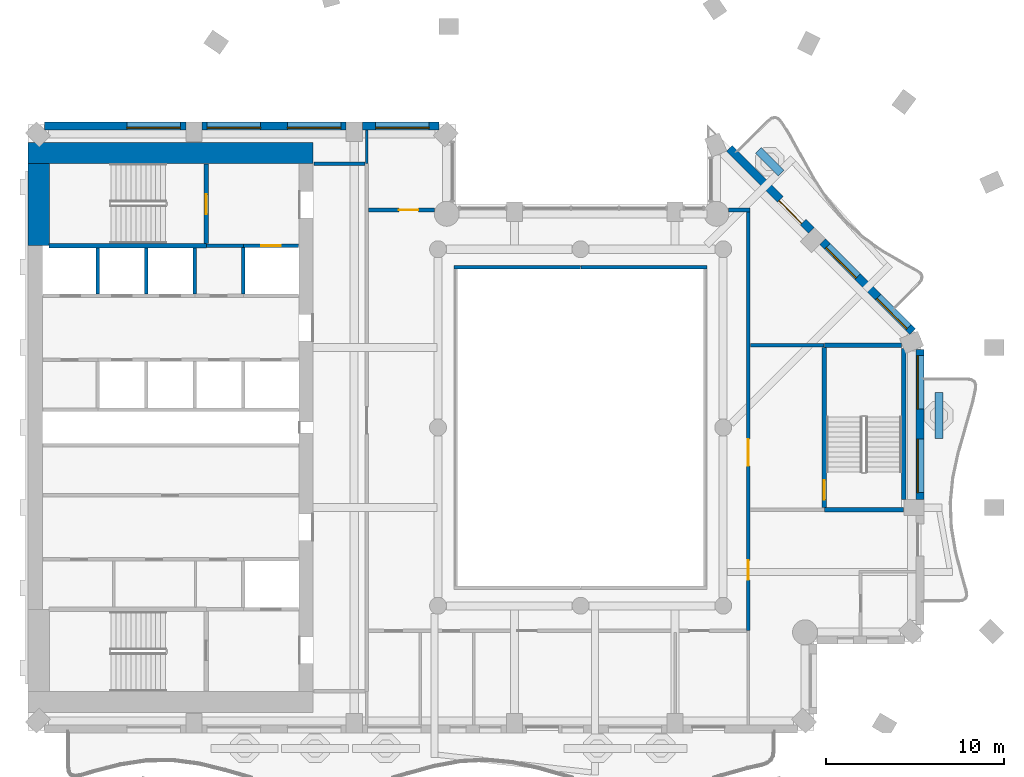
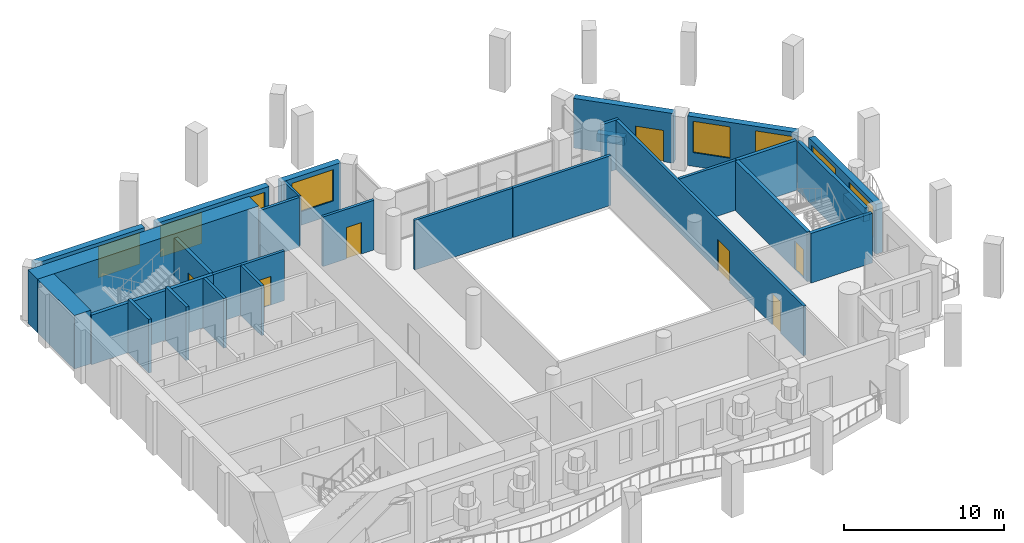
# One storey, part 6 of 14: 30 walls, 8 windows, 7 doors, 15 openings.
"""IFC4 building model written with IfcOpenShell, lengths in metres."""

from ifc_helpers import new_model, si_unit, direction, frame, frame_2d, origin, place, context, subcontext, project, spatial, rectangle, extrude, material, layer, layer_set, type_object, element, fill, save


model = new_model("IFC4")

# Units and contexts
model_context = context("Model", 3, precision=1e-05, world=origin(), true_north=direction((0.0, 1.0)))
body_context = subcontext(model_context, "Body", "Model", "MODEL_VIEW")
ifc_project = project(units=[si_unit("LENGTHUNIT", "METRE"), si_unit("AREAUNIT", "SQUARE_METRE"), si_unit("VOLUMEUNIT", "CUBIC_METRE"), si_unit("PLANEANGLEUNIT", "RADIAN"), si_unit("MASSUNIT", "GRAM", prefix="KILO")], contexts=[model_context])

# Site, building, storey
site_placement = place(None, origin())
site = spatial("IfcSite", under=ifc_project, at=site_placement, CompositionType="ELEMENT")
building_placement = place(site_placement, origin())
building = spatial("IfcBuilding", under=site, at=building_placement, Name="Cypress Arch Tower", CompositionType="ELEMENT")
storey_placement = place(building_placement, frame((0.0, 0.0, 226.10009765625)))
storey = spatial("IfcBuildingStorey", under=building, at=storey_placement, Name="L50", CompositionType="ELEMENT", Elevation=226.10009765625)

# Walls
ifc_material_1 = material(Name="Concrete C40/50, waterproofed", Category="concrete")
ifc_layer_1 = layer(ifc_material_1, 0.449951171875)
ifc_layer_set_1 = layer_set([ifc_layer_1], Name="Balcony planter wall PW450")
wall_type_1 = type_object("IfcWallType", Name="Balcony planter wall PW450", PredefinedType="SOLIDWALL", material=ifc_layer_set_1)
wall_1_placement = place(storey_placement, frame((21.10009765625, -0.61669921875, 0.0), z_axis=(0.0, 0.0, 1.0), x_axis=(0.0, 1.0, 0.0)))
element("IfcWall", 1, at=wall_1_placement, inside=storey, type_object=wall_type_1, Name="Balcony planter wall L50-B04.1", PredefinedType="SOLIDWALL", context=body_context, shape_type="SweptSolid", body=[
    extrude(rectangle(XDim=2.566650390625, YDim=0.449951171875, at=frame_2d((1.283203125, 0.0))), origin(), (0.0, 0.0, 1.0), 0.599853515625),
])
wall_2_placement = place(storey_placement, frame((12.250732421875, 14.263427734375, 0.0), z_axis=(0.0, 0.0, 1.0), x_axis=(-0.707039709166, 0.707173846846, 0.0)))
element("IfcWall", 2, at=wall_2_placement, inside=storey, type_object=wall_type_1, Name="Balcony planter wall L50-B05.1", PredefinedType="SOLIDWALL", context=body_context, shape_type="SweptSolid", body=[
    extrude(rectangle(XDim=1.820068359375, YDim=0.449951171875, at=frame_2d((0.91015625, 0.0))), origin(), (0.0, 0.0, 1.0), 0.599853515625),
])

# Wall, openings, windows
ifc_material_2 = material(Name="Brick (red buff blend)", Category="masonry")
ifc_layer_2 = layer(ifc_material_2, 0.449951171875)
ifc_layer_set_2 = layer_set([ifc_layer_2], Name="Brick pier and spandrel wall BW450")
wall_type_2 = type_object("IfcWallType", Name="Brick pier and spandrel wall BW450", PredefinedType="SOLIDWALL", material=ifc_layer_set_2)
wall_3_placement = place(storey_placement, frame((20.02490234375, -4.050048828125, 0.0), z_axis=(0.0, 0.0, 1.0), x_axis=(0.0, 1.0, 0.0)))
wall_3 = element("IfcWall", 3, at=wall_3_placement, inside=storey, type_object=wall_type_2, Name="Brick wall L50 B04.1", PredefinedType="SOLIDWALL", context=body_context, shape_type="SweptSolid", body=[
    extrude(rectangle(XDim=8.438720703125, YDim=0.449951171875, at=frame_2d((4.21923828125, 0.0))), origin(), (0.0, 0.0, 1.0), 3.7998046875),
])
opening_1_placement = place(wall_3_placement, frame((0.39404296875, 0.0, 1.050048828125)))
opening_1 = element("IfcOpeningElement", 4, at=opening_1_placement, cuts=wall_3, Name="Opening W300OD", PredefinedType="OPENING", context=body_context, shape_type="SweptSolid", body=[
    extrude(rectangle(XDim=3.0, YDim=2.39990234375, at=frame_2d((1.5, 1.199951171875))), frame((0.0, 0.23486328125, 0.0), z_axis=(0.0, -1.0, 0.0), x_axis=(1.0, 0.0, 0.0)), (0.0, 0.0, 1.0), 0.469970703125),
])
opening_2_placement = place(wall_3_placement, frame((5.081787109375, 0.0, 1.050048828125)))
opening_2 = element("IfcOpeningElement", 5, at=opening_2_placement, cuts=wall_3, Name="Opening W300OD", PredefinedType="OPENING", context=body_context, shape_type="SweptSolid", body=[
    extrude(rectangle(XDim=3.0, YDim=2.39990234375, at=frame_2d((1.5, 1.199951171875))), frame((0.0, 0.23486328125, 0.0), z_axis=(0.0, -1.0, 0.0), x_axis=(1.0, 0.0, 0.0)), (0.0, 0.0, 1.0), 0.469970703125),
])
ifc_material_3 = material(Name="Anodised aluminium, bronze finish, laminated low-emissivity double glazing, large-missile impact rated", Category="aluminium")
window_type_1 = type_object("IfcWindowType", Name="Window Office 3000x2400 debris-rated", PartitioningType="SINGLE_PANEL", PredefinedType="WINDOW", material=ifc_material_3)
window_1_placement = place(opening_1_placement, origin())
window_1 = element("IfcWindow", 6, at=window_1_placement, inside=storey, type_object=window_type_1, Name="Window L50 B04.1.1", OverallHeight=2.39990234375, OverallWidth=3.0, PartitioningType="SINGLE_PANEL", PredefinedType="WINDOW", context=body_context, shape_type="SweptSolid", body=[
    extrude(rectangle(XDim=3.0, YDim=2.39990234375, at=frame_2d((1.5, 1.199951171875))), frame((0.0, 0.135009765625, 0.0), z_axis=(0.0, -1.0, 0.0), x_axis=(1.0, 0.0, 0.0)), (0.0, 0.0, 1.0), 0.06005859375),
])
fill(opening_1, window_1)
window_2_placement = place(opening_2_placement, origin())
window_2 = element("IfcWindow", 7, at=window_2_placement, inside=storey, type_object=window_type_1, Name="Window L50 B04.1.2", OverallHeight=2.39990234375, OverallWidth=3.0, PartitioningType="SINGLE_PANEL", PredefinedType="WINDOW", context=body_context, shape_type="SweptSolid", body=[
    extrude(rectangle(XDim=3.0, YDim=2.39990234375, at=frame_2d((1.5, 1.199951171875))), frame((0.0, 0.135009765625, 0.0), z_axis=(0.0, -1.0, 0.0), x_axis=(1.0, 0.0, 0.0)), (0.0, 0.0, 1.0), 0.06005859375),
])
fill(opening_2, window_2)

wall_4_placement = place(storey_placement, frame((19.61474609375, 5.379150390625, 0.0), z_axis=(0.0, 0.0, 1.0), x_axis=(-0.707089646058, 0.7071239159, 0.0)))
wall_4 = element("IfcWall", 8, at=wall_4_placement, inside=storey, type_object=wall_type_2, Name="Brick wall L50 B05.0", PredefinedType="SOLIDWALL", context=body_context, shape_type="SweptSolid", body=[
    extrude(rectangle(XDim=7.1240234375, YDim=0.449951171875, at=frame_2d((3.56201171875, 0.0))), origin(), (0.0, 0.0, 1.0), 3.7998046875),
])
opening_3_placement = place(wall_4_placement, frame((0.328125, 0.0, 1.050048828125)))
opening_3 = element("IfcOpeningElement", 9, at=opening_3_placement, cuts=wall_4, Name="Opening W240OD", PredefinedType="OPENING", context=body_context, shape_type="SweptSolid", body=[
    extrude(rectangle(XDim=2.39990234375, YDim=2.39990234375, at=frame_2d((1.199951171875, 1.199951171875))), frame((0.0, 0.23486328125, 0.0), z_axis=(0.0, -1.0, 0.0), x_axis=(1.0, 0.0, 0.0)), (0.0, 0.0, 1.0), 0.469970703125),
])
opening_4_placement = place(wall_4_placement, frame((4.358642578125, 0.0, 1.050048828125)))
opening_4 = element("IfcOpeningElement", 10, at=opening_4_placement, cuts=wall_4, Name="Opening W240OD", PredefinedType="OPENING", context=body_context, shape_type="SweptSolid", body=[
    extrude(rectangle(XDim=2.39990234375, YDim=2.39990234375, at=frame_2d((1.199951171875, 1.199951171875))), frame((0.0, 0.23486328125, 0.0), z_axis=(0.0, -1.0, 0.0), x_axis=(1.0, 0.0, 0.0)), (0.0, 0.0, 1.0), 0.469970703125),
])
ifc_material_4 = material(Name="Anodised aluminium, bronze finish, laminated low-emissivity double glazing, large-missile impact rated", Category="aluminium")
window_type_2 = type_object("IfcWindowType", Name="Window Office 2400x2400 debris-rated", PartitioningType="SINGLE_PANEL", PredefinedType="WINDOW", material=ifc_material_4)
window_3_placement = place(opening_3_placement, origin())
window_3 = element("IfcWindow", 11, at=window_3_placement, inside=storey, type_object=window_type_2, Name="Window L50 B05.0.1", OverallHeight=2.39990234375, OverallWidth=2.39990234375, PartitioningType="SINGLE_PANEL", PredefinedType="WINDOW", context=body_context, shape_type="SweptSolid", body=[
    extrude(rectangle(XDim=2.39990234375, YDim=2.39990234375, at=frame_2d((1.199951171875, 1.199951171875))), frame((0.0, 0.135009765625, 0.0), z_axis=(0.0, -1.0, 0.0), x_axis=(1.0, 0.0, 0.0)), (0.0, 0.0, 1.0), 0.06005859375),
])
fill(opening_3, window_3)
window_4_placement = place(opening_4_placement, origin())
window_4 = element("IfcWindow", 12, at=window_4_placement, inside=storey, type_object=window_type_2, Name="Window L50 B05.0.2", OverallHeight=2.39990234375, OverallWidth=2.39990234375, PartitioningType="SINGLE_PANEL", PredefinedType="WINDOW", context=body_context, shape_type="SweptSolid", body=[
    extrude(rectangle(XDim=2.39990234375, YDim=2.39990234375, at=frame_2d((1.199951171875, 1.199951171875))), frame((0.0, 0.135009765625, 0.0), z_axis=(0.0, -1.0, 0.0), x_axis=(1.0, 0.0, 0.0)), (0.0, 0.0, 1.0), 0.06005859375),
])
fill(opening_4, window_4)

# Wall, opening, door
wall_5_placement = place(storey_placement, frame((13.94091796875, 11.052978515625, 0.0), z_axis=(0.0, 0.0, 1.0), x_axis=(-0.707106781187, 0.707106781187, 0.0)))
wall_5 = element("IfcWall", 13, at=wall_5_placement, inside=storey, type_object=wall_type_2, Name="Brick wall L50 B05.1", PredefinedType="SOLIDWALL", context=body_context, shape_type="SweptSolid", body=[
    extrude(rectangle(XDim=6.505126953125, YDim=0.449951171875, at=frame_2d((3.25244140625, 0.0))), origin(), (0.0, 0.0, 1.0), 3.7998046875),
])
opening_5_placement = place(wall_5_placement, frame((0.665283203125, 0.0, 0.0)))
opening_5 = element("IfcOpeningElement", 14, at=opening_5_placement, cuts=wall_5, Name="Opening D-L50-B05.1.1", PredefinedType="OPENING", context=body_context, shape_type="SweptSolid", body=[
    extrude(rectangle(XDim=1.800048828125, YDim=2.39990234375, at=frame_2d((0.89990234375, 1.199951171875))), frame((0.0, 0.23486328125, 0.0), z_axis=(0.0, -1.0, 0.0), x_axis=(1.0, 0.0, 0.0)), (0.0, 0.0, 1.0), 0.469970703125),
])
ifc_material_5 = material(Name="Anodised aluminium, bronze finish, laminated low-emissivity double glazing, large-missile impact rated", Category="aluminium")
door_type_1 = type_object("IfcDoorType", Name="Balcony sliding door 1800x2400", OperationType="SLIDING_TO_LEFT", PredefinedType="DOOR", material=ifc_material_5)
door_1_placement = place(opening_5_placement, origin())
door_1 = element("IfcDoor", 15, at=door_1_placement, inside=storey, type_object=door_type_1, Name="Balcony door L50 B05.1.1", OperationType="SLIDING_TO_LEFT", OverallHeight=2.39990234375, OverallWidth=1.800048828125, PredefinedType="DOOR", context=body_context, shape_type="SweptSolid", body=[
    extrude(rectangle(XDim=1.800048828125, YDim=2.39990234375, at=frame_2d((0.89990234375, 1.199951171875))), frame((0.0, 0.1298828125, 0.0), z_axis=(0.0, -1.0, 0.0), x_axis=(1.0, 0.0, 0.0)), (0.0, 0.0, 1.0), 0.050048828125),
])
fill(opening_5, door_1)

# Wall, opening, window
wall_6_placement = place(storey_placement, frame((-6.936279296875, 16.925048828125, 0.0), z_axis=(0.0, 0.0, 1.0), x_axis=(-1.0, 0.0, 0.0)))
wall_6 = element("IfcWall", 16, at=wall_6_placement, inside=storey, type_object=wall_type_2, Name="Brick wall L50 B09.0", PredefinedType="SOLIDWALL", context=body_context, shape_type="SweptSolid", body=[
    extrude(rectangle(XDim=4.313720703125, YDim=0.449951171875, at=frame_2d((2.15673828125, 0.0))), origin(), (0.0, 0.0, 1.0), 3.7998046875),
])
opening_6_placement = place(wall_6_placement, frame((0.563720703125, 0.0, 1.050048828125)))
opening_6 = element("IfcOpeningElement", 17, at=opening_6_placement, cuts=wall_6, Name="Opening W300O", PredefinedType="OPENING", context=body_context, shape_type="SweptSolid", body=[
    extrude(rectangle(XDim=3.0, YDim=2.39990234375, at=frame_2d((1.5, 1.199951171875))), frame((0.0, 0.23486328125, 0.0), z_axis=(0.0, -1.0, 0.0), x_axis=(1.0, 0.0, 0.0)), (0.0, 0.0, 1.0), 0.469970703125),
])
ifc_material_6 = material(Name="Anodised aluminium, bronze finish, clear low-emissivity double glazing", Category="aluminium")
window_type_3 = type_object("IfcWindowType", Name="Window Office 3000x2400", PartitioningType="SINGLE_PANEL", PredefinedType="WINDOW", material=ifc_material_6)
window_5_placement = place(opening_6_placement, origin())
window_5 = element("IfcWindow", 18, at=window_5_placement, inside=storey, type_object=window_type_3, Name="Window L50 B09.0.1", OverallHeight=2.39990234375, OverallWidth=3.0, PartitioningType="SINGLE_PANEL", PredefinedType="WINDOW", context=body_context, shape_type="SweptSolid", body=[
    extrude(rectangle(XDim=3.0, YDim=2.39990234375, at=frame_2d((1.5, 1.199951171875))), frame((0.0, 0.135009765625, 0.0), z_axis=(0.0, -1.0, 0.0), x_axis=(1.0, 0.0, 0.0)), (0.0, 0.0, 1.0), 0.06005859375),
])
fill(opening_6, window_5)

# Wall, openings, windows
wall_7_placement = place(storey_placement, frame((-12.14990234375, 16.925048828125, 0.0), z_axis=(0.0, 0.0, 1.0), x_axis=(-1.0, 0.0, 0.0)))
wall_7 = element("IfcWall", 19, at=wall_7_placement, inside=storey, type_object=wall_type_2, Name="Brick wall L50 B09.1", PredefinedType="SOLIDWALL", context=body_context, shape_type="SweptSolid", body=[
    extrude(rectangle(XDim=8.10009765625, YDim=0.449951171875, at=frame_2d((4.050048828125, 0.0))), origin(), (0.0, 0.0, 1.0), 3.7998046875),
])
opening_7_placement = place(wall_7_placement, frame((0.300048828125, 0.0, 1.050048828125)))
opening_7 = element("IfcOpeningElement", 20, at=opening_7_placement, cuts=wall_7, Name="Opening W300O", PredefinedType="OPENING", context=body_context, shape_type="SweptSolid", body=[
    extrude(rectangle(XDim=3.0, YDim=2.39990234375, at=frame_2d((1.5, 1.199951171875))), frame((0.0, 0.23486328125, 0.0), z_axis=(0.0, -1.0, 0.0), x_axis=(1.0, 0.0, 0.0)), (0.0, 0.0, 1.0), 0.469970703125),
])
opening_8_placement = place(wall_7_placement, frame((4.800048828125, 0.0, 1.050048828125)))
opening_8 = element("IfcOpeningElement", 21, at=opening_8_placement, cuts=wall_7, Name="Opening W300O", PredefinedType="OPENING", context=body_context, shape_type="SweptSolid", body=[
    extrude(rectangle(XDim=3.0, YDim=2.39990234375, at=frame_2d((1.5, 1.199951171875))), frame((0.0, 0.23486328125, 0.0), z_axis=(0.0, -1.0, 0.0), x_axis=(1.0, 0.0, 0.0)), (0.0, 0.0, 1.0), 0.469970703125),
])
window_6_placement = place(opening_7_placement, origin())
window_6 = element("IfcWindow", 22, at=window_6_placement, inside=storey, type_object=window_type_3, Name="Window L50 B09.1.1", OverallHeight=2.39990234375, OverallWidth=3.0, PartitioningType="SINGLE_PANEL", PredefinedType="WINDOW", context=body_context, shape_type="SweptSolid", body=[
    extrude(rectangle(XDim=3.0, YDim=2.39990234375, at=frame_2d((1.5, 1.199951171875))), frame((0.0, 0.135009765625, 0.0), z_axis=(0.0, -1.0, 0.0), x_axis=(1.0, 0.0, 0.0)), (0.0, 0.0, 1.0), 0.06005859375),
])
fill(opening_7, window_6)
window_7_placement = place(opening_8_placement, origin())
window_7 = element("IfcWindow", 23, at=window_7_placement, inside=storey, type_object=window_type_3, Name="Window L50 B09.1.2", OverallHeight=2.39990234375, OverallWidth=3.0, PartitioningType="SINGLE_PANEL", PredefinedType="WINDOW", context=body_context, shape_type="SweptSolid", body=[
    extrude(rectangle(XDim=3.0, YDim=2.39990234375, at=frame_2d((1.5, 1.199951171875))), frame((0.0, 0.135009765625, 0.0), z_axis=(0.0, -1.0, 0.0), x_axis=(1.0, 0.0, 0.0)), (0.0, 0.0, 1.0), 0.06005859375),
])
fill(opening_8, window_7)

# Wall, opening, window
wall_8_placement = place(storey_placement, frame((-21.14990234375, 16.925048828125, 0.0), z_axis=(0.0, 0.0, 1.0), x_axis=(-1.0, 0.0, 0.0)))
wall_8 = element("IfcWall", 24, at=wall_8_placement, inside=storey, type_object=wall_type_2, Name="Brick wall L50 B09.2", PredefinedType="SOLIDWALL", context=body_context, shape_type="SweptSolid", body=[
    extrude(rectangle(XDim=7.913818359375, YDim=0.449951171875, at=frame_2d((3.95703125, 0.0))), origin(), (0.0, 0.0, 1.0), 3.7998046875),
])
opening_9_placement = place(wall_8_placement, frame((0.300048828125, 0.0, 1.050048828125)))
opening_9 = element("IfcOpeningElement", 25, at=opening_9_placement, cuts=wall_8, Name="Opening W300O", PredefinedType="OPENING", context=body_context, shape_type="SweptSolid", body=[
    extrude(rectangle(XDim=3.0, YDim=2.39990234375, at=frame_2d((1.5, 1.199951171875))), frame((0.0, 0.23486328125, 0.0), z_axis=(0.0, -1.0, 0.0), x_axis=(1.0, 0.0, 0.0)), (0.0, 0.0, 1.0), 0.469970703125),
])
window_8_placement = place(opening_9_placement, origin())
window_8 = element("IfcWindow", 26, at=window_8_placement, inside=storey, type_object=window_type_3, Name="Window L50 B09.2.1", OverallHeight=2.39990234375, OverallWidth=3.0, PartitioningType="SINGLE_PANEL", PredefinedType="WINDOW", context=body_context, shape_type="SweptSolid", body=[
    extrude(rectangle(XDim=3.0, YDim=2.39990234375, at=frame_2d((1.5, 1.199951171875))), frame((0.0, 0.135009765625, 0.0), z_axis=(0.0, -1.0, 0.0), x_axis=(1.0, 0.0, 0.0)), (0.0, 0.0, 1.0), 0.06005859375),
])
fill(opening_9, window_8)

# Walls
ifc_material_7 = material(Name="Concrete C70/85", Category="concrete")
ifc_layer_3 = layer(ifc_material_7, 1.199951171875)
ifc_layer_set_3 = layer_set([ifc_layer_3], Name="Core wall CW1200 C70/85")
wall_type_3 = type_object("IfcWallType", Name="Core wall CW1200 C70/85", PredefinedType="SHEAR", material=ifc_layer_set_3)
wall_9_placement = place(storey_placement, frame((-30.0, 15.39990234375, 0.0), z_axis=(0.0, 0.0, 1.0), x_axis=(1.0, 0.0, 0.0)))
element("IfcWall", 27, at=wall_9_placement, inside=storey, type_object=wall_type_3, Name="Core wall", PredefinedType="SHEAR", context=body_context, shape_type="SweptSolid", body=[
    extrude(rectangle(XDim=16.0, YDim=1.199951171875, at=frame_2d((8.0, 0.0))), origin(), (0.0, 0.0, 1.0), 4.099853515625),
])
wall_10_placement = place(storey_placement, frame((-29.39990234375, 10.199951171875, 0.0), z_axis=(0.0, 0.0, 1.0), x_axis=(0.0, 1.0, 0.0)))
element("IfcWall", 28, at=wall_10_placement, inside=storey, type_object=wall_type_3, Name="Core wall", PredefinedType="SHEAR", context=body_context, shape_type="SweptSolid", body=[
    extrude(rectangle(XDim=4.60009765625, YDim=1.199951171875, at=frame_2d((2.300048828125, 0.0))), origin(), (0.0, 0.0, 1.0), 4.099853515625),
])
ifc_material_8 = material(Name="Concrete blockwork, plastered, rated", Category="masonry")
ifc_layer_4 = layer(ifc_material_8, 0.199951171875)
ifc_layer_set_4 = layer_set([ifc_layer_4], Name="Corridor wall FW200")
wall_type_4 = type_object("IfcWallType", Name="Corridor wall FW200", PredefinedType="PARTITIONING", material=ifc_layer_set_4)
wall_11_placement = place(storey_placement, frame((-13.969970703125, 14.800048828125, 0.0), z_axis=(0.0, 0.0, 1.0), x_axis=(1.0, 0.0, 0.0)))
element("IfcWall", 29, at=wall_11_placement, inside=storey, type_object=wall_type_4, Name="Corridor wall", PredefinedType="PARTITIONING", context=body_context, shape_type="SweptSolid", body=[
    extrude(rectangle(XDim=2.869873046875, YDim=0.199951171875, at=frame_2d((1.43505859375, 0.0))), origin(), (0.0, 0.0, 1.0), 3.7998046875),
])

# Wall, opening, door
wall_12_placement = place(storey_placement, frame((-10.89990234375, 12.199951171875, 0.0), z_axis=(0.0, 0.0, 1.0), x_axis=(1.0, 0.0, 0.0)))
wall_12 = element("IfcWall", 30, at=wall_12_placement, inside=storey, type_object=wall_type_4, Name="Corridor wall", PredefinedType="PARTITIONING", context=body_context, shape_type="SweptSolid", body=[
    extrude(rectangle(XDim=3.7041015625, YDim=0.199951171875, at=frame_2d((1.85205078125, 0.0))), origin(), (0.0, 0.0, 1.0), 3.7998046875),
])
opening_10_placement = place(wall_12_placement, frame((1.699951171875, 0.0, 0.0)))
opening_10 = element("IfcOpeningElement", 31, at=opening_10_placement, cuts=wall_12, Name="Opening D01", PredefinedType="OPENING", context=body_context, shape_type="SweptSolid", body=[
    extrude(rectangle(XDim=1.10009765625, YDim=2.39990234375, at=frame_2d((0.550048828125, 1.199951171875))), frame((0.0, 0.10986328125, 0.0), z_axis=(0.0, -1.0, 0.0), x_axis=(1.0, 0.0, 0.0)), (0.0, 0.0, 1.0), 0.219970703125),
])
ifc_material_9 = material(Name="Timber flush door, fire resisting, self-closing", Category="wood")
door_type_2 = type_object("IfcDoorType", Name="Unit entrance door D01 1100x2400", OperationType="SINGLE_SWING_LEFT", PredefinedType="DOOR", material=ifc_material_9)
door_2_placement = place(opening_10_placement, origin())
door_2 = element("IfcDoor", 32, at=door_2_placement, inside=storey, type_object=door_type_2, Name="Unit entrance door", OperationType="SINGLE_SWING_RIGHT", OverallHeight=2.39990234375, OverallWidth=1.10009765625, PredefinedType="DOOR", context=body_context, shape_type="SweptSolid", body=[
    extrude(rectangle(XDim=1.10009765625, YDim=2.39990234375, at=frame_2d((0.550048828125, 1.199951171875))), frame((0.0, 0.02490234375, 0.0), z_axis=(0.0, -1.0, 0.0), x_axis=(1.0, 0.0, 0.0)), (0.0, 0.0, 1.0), 0.050048828125),
])
fill(opening_10, door_2)

# Walls
for number, where, z_axis, x_axis, name in (
    (33, (-6.10009765625, 9.0, 0.0), (0.0, 0.0, 1.0), (1.0, 0.0, 0.0), "Corridor wall"),
    (34, (1.02001953125, 9.0, 0.0), (0.0, 0.0, 1.0), (1.0, 0.0, 0.0), "Corridor wall"),
):
    element("IfcWall", number, at=place(storey_placement, frame(where, z_axis=z_axis, x_axis=x_axis)), inside=storey, type_object=wall_type_4, Name=name, PredefinedType="PARTITIONING", context=body_context, shape_type="SweptSolid", body=[
        extrude(rectangle(XDim=7.080078125, YDim=0.199951171875, at=frame_2d((3.5400390625, 0.0))), origin(), (0.0, 0.0, 1.0), 3.7998046875),
    ])
wall_13_placement = place(storey_placement, frame((9.295654296875, 12.199951171875, 0.0), z_axis=(0.0, 0.0, 1.0), x_axis=(1.0, 0.0, 0.0)))
element("IfcWall", 35, at=wall_13_placement, inside=storey, type_object=wall_type_4, Name="Corridor wall", PredefinedType="PARTITIONING", context=body_context, shape_type="SweptSolid", body=[
    extrude(rectangle(XDim=1.204345703125, YDim=0.199951171875, at=frame_2d((0.60205078125, 0.0))), origin(), (0.0, 0.0, 1.0), 3.7998046875),
])

# Wall, openings, doors
wall_14_placement = place(storey_placement, frame((10.39990234375, -11.39990234375, 0.0), z_axis=(0.0, 0.0, 1.0), x_axis=(0.0, 1.0, 0.0)))
wall_14 = element("IfcWall", 36, at=wall_14_placement, inside=storey, type_object=wall_type_4, Name="Corridor wall", PredefinedType="PARTITIONING", context=body_context, shape_type="SweptSolid", body=[
    extrude(rectangle(XDim=23.5, YDim=0.199951171875, at=frame_2d((11.75, 0.0))), origin(), (0.0, 0.0, 1.0), 3.7998046875),
])
opening_11_placement = place(wall_14_placement, frame((9.25, 0.0, 0.0)))
opening_11 = element("IfcOpeningElement", 37, at=opening_11_placement, cuts=wall_14, Name="Opening D07", PredefinedType="OPENING", context=body_context, shape_type="SweptSolid", body=[
    extrude(rectangle(XDim=1.5, YDim=2.39990234375, at=frame_2d((0.75, 1.199951171875))), frame((0.0, 0.10986328125, 0.0), z_axis=(0.0, -1.0, 0.0), x_axis=(1.0, 0.0, 0.0)), (0.0, 0.0, 1.0), 0.219970703125),
])
opening_12_placement = place(wall_14_placement, frame((2.85009765625, 0.0, 0.0)))
opening_12 = element("IfcOpeningElement", 38, at=opening_12_placement, cuts=wall_14, Name="Opening D01", PredefinedType="OPENING", context=body_context, shape_type="SweptSolid", body=[
    extrude(rectangle(XDim=1.10009765625, YDim=2.39990234375, at=frame_2d((0.550048828125, 1.199951171875))), frame((0.0, 0.10986328125, 0.0), z_axis=(0.0, -1.0, 0.0), x_axis=(1.0, 0.0, 0.0)), (0.0, 0.0, 1.0), 0.219970703125),
])
ifc_material_10 = material(Name="Steel framed glazed door, fire resisting", Category="steel")
door_type_3 = type_object("IfcDoorType", Name="Lobby door D07 1500x2400", OperationType="DOUBLE_DOOR_SINGLE_SWING", PredefinedType="DOOR", material=ifc_material_10)
door_3_placement = place(opening_11_placement, origin())
door_3 = element("IfcDoor", 39, at=door_3_placement, inside=storey, type_object=door_type_3, Name="Lobby door", OperationType="DOUBLE_DOOR_SINGLE_SWING", OverallHeight=2.39990234375, OverallWidth=1.5, PredefinedType="DOOR", context=body_context, shape_type="SweptSolid", body=[
    extrude(rectangle(XDim=1.5, YDim=2.39990234375, at=frame_2d((0.75, 1.199951171875))), frame((0.0, 0.02490234375, 0.0), z_axis=(0.0, -1.0, 0.0), x_axis=(1.0, 0.0, 0.0)), (0.0, 0.0, 1.0), 0.050048828125),
])
fill(opening_11, door_3)
door_4_placement = place(opening_12_placement, origin())
door_4 = element("IfcDoor", 40, at=door_4_placement, inside=storey, type_object=door_type_2, Name="Unit entrance door", OperationType="SINGLE_SWING_LEFT", OverallHeight=2.39990234375, OverallWidth=1.10009765625, PredefinedType="DOOR", context=body_context, shape_type="SweptSolid", body=[
    extrude(rectangle(XDim=1.10009765625, YDim=2.39990234375, at=frame_2d((0.550048828125, 1.199951171875))), frame((0.0, 0.02490234375, 0.0), z_axis=(0.0, -1.0, 0.0), x_axis=(1.0, 0.0, 0.0)), (0.0, 0.0, 1.0), 0.050048828125),
])
fill(opening_12, door_4)

# Walls
wall_15_placement = place(storey_placement, frame((10.52001953125, 4.625, 0.0), z_axis=(0.0, 0.0, 1.0), x_axis=(1.0, 0.0, 0.0)))
element("IfcWall", 41, at=wall_15_placement, inside=storey, type_object=wall_type_4, Name="Corridor wall", PredefinedType="PARTITIONING", context=body_context, shape_type="SweptSolid", body=[
    extrude(rectangle(XDim=4.135009765625, YDim=0.199951171875, at=frame_2d((2.0673828125, 0.0))), origin(), (0.0, 0.0, 1.0), 3.7998046875),
])
ifc_material_11 = material(Name="Blockwork, plastered both sides", Category="masonry")
ifc_layer_5 = layer(ifc_material_11, 0.14990234375)
ifc_layer_set_5 = layer_set([ifc_layer_5], Name="Partition PW150")
wall_type_5 = type_object("IfcWallType", Name="Partition PW150", PredefinedType="PARTITIONING", material=ifc_layer_set_5)
wall_16_placement = place(storey_placement, frame((-11.0, 14.820068359375, 0.0), z_axis=(0.0, 0.0, 1.0), x_axis=(0.0, 1.0, 0.0)))
element("IfcWall", 42, at=wall_16_placement, inside=storey, type_object=wall_type_5, Name="Partition", PredefinedType="PARTITIONING", context=body_context, shape_type="SweptSolid", body=[
    extrude(rectangle(XDim=1.8798828125, YDim=0.14990234375, at=frame_2d((0.93994140625, 0.0))), origin(), (0.0, 0.0, 1.0), 3.7998046875),
])
ifc_material_12 = material(Name="Reinforced blockwork, plastered, rated", Category="masonry")
ifc_layer_6 = layer(ifc_material_12, 0.199951171875)
ifc_layer_set_6 = layer_set([ifc_layer_6], Name="Plant and riser wall PL200")
wall_type_6 = type_object("IfcWallType", Name="Plant and riser wall PL200", PredefinedType="PARTITIONING", material=ifc_layer_set_6)
wall_17_placement = place(storey_placement, frame((-20.0, 10.199951171875, 0.0), z_axis=(0.0, 0.0, 1.0), x_axis=(1.0, 0.0, 0.0)))
element("IfcWall", 43, at=wall_17_placement, inside=storey, type_object=wall_type_6, Name="Plant and riser wall", PredefinedType="PARTITIONING", context=body_context, shape_type="SweptSolid", body=[
    extrude(rectangle(XDim=2.080078125, YDim=0.199951171875, at=frame_2d((1.0400390625, 0.0))), origin(), (0.0, 0.0, 1.0), 3.7998046875),
])
ifc_material_13 = material(Name="Concrete C50/60", Category="concrete")
ifc_layer_7 = layer(ifc_material_13, 0.199951171875)
ifc_layer_set_7 = layer_set([ifc_layer_7], Name="Shaft wall SH200")
wall_type_7 = type_object("IfcWallType", Name="Shaft wall SH200", PredefinedType="SHEAR", material=ifc_layer_set_7)
for number, where, z_axis, x_axis, name in (
    (44, (-26.080078125, 7.5, 0.0), (0.0, 0.0, 1.0), (0.0, 1.0, 0.0), "Shaft wall"),
    (45, (-23.360107421875, 7.5, 0.0), (0.0, 0.0, 1.0), (0.0, 1.0, 0.0), "Shaft wall"),
):
    element("IfcWall", number, at=place(storey_placement, frame(where, z_axis=z_axis, x_axis=x_axis)), inside=storey, type_object=wall_type_7, Name=name, PredefinedType="SHEAR", context=body_context, shape_type="SweptSolid", body=[
        extrude(rectangle(XDim=2.574951171875, YDim=0.199951171875, at=frame_2d((1.28759765625, 0.0))), origin(), (0.0, 0.0, 1.0), 4.099853515625),
    ])
wall_18_placement = place(storey_placement, frame((-20.639892578125, 7.5, 0.0), z_axis=(0.0, 0.0, 1.0), x_axis=(0.0, 1.0, 0.0)))
element("IfcWall", 46, at=wall_18_placement, inside=storey, type_object=wall_type_7, Name="Shaft wall", PredefinedType="SHEAR", context=body_context, shape_type="SweptSolid", body=[
    extrude(rectangle(XDim=2.574951171875, YDim=0.199951171875, at=frame_2d((1.28759765625, 0.0))), origin(), (0.0, 0.0, 1.0), 3.7998046875),
])
wall_19_placement = place(storey_placement, frame((-17.919921875, 7.5, 0.0), z_axis=(0.0, 0.0, 1.0), x_axis=(0.0, 1.0, 0.0)))
element("IfcWall", 47, at=wall_19_placement, inside=storey, type_object=wall_type_7, Name="Shaft wall", PredefinedType="SHEAR", context=body_context, shape_type="SweptSolid", body=[
    extrude(rectangle(XDim=2.60009765625, YDim=0.199951171875, at=frame_2d((1.300048828125, 0.0))), origin(), (0.0, 0.0, 1.0), 3.7998046875),
])

# Wall, opening, door
wall_20_placement = place(storey_placement, frame((-17.919921875, 10.199951171875, 0.0), z_axis=(0.0, 0.0, 1.0), x_axis=(1.0, 0.0, 0.0)))
wall_20 = element("IfcWall", 48, at=wall_20_placement, inside=storey, type_object=wall_type_7, Name="Shaft wall", PredefinedType="SHEAR", context=body_context, shape_type="SweptSolid", body=[
    extrude(rectangle(XDim=3.08984375, YDim=0.199951171875, at=frame_2d((1.544921875, 0.0))), origin(), (0.0, 0.0, 1.0), 3.7998046875),
])
opening_13_placement = place(wall_20_placement, frame((1.0, 0.0, 0.0)))
opening_13 = element("IfcOpeningElement", 49, at=opening_13_placement, cuts=wall_20, Name="Opening LD-FL2", PredefinedType="OPENING", context=body_context, shape_type="SweptSolid", body=[
    extrude(rectangle(XDim=1.10009765625, YDim=2.199951171875, at=frame_2d((0.550048828125, 1.10009765625))), frame((0.0, 0.10986328125, 0.0), z_axis=(0.0, -1.0, 0.0), x_axis=(1.0, 0.0, 0.0)), (0.0, 0.0, 1.0), 0.219970703125),
])
ifc_material_14 = material(Name="Stainless steel centre-opening landing door, rated", Category="steel")
door_type_4 = type_object("IfcDoorType", Name="Lift landing door LD 1100x2200", OperationType="DOUBLE_DOOR_SLIDING", PredefinedType="DOOR", material=ifc_material_14)
door_5_placement = place(opening_13_placement, origin())
door_5 = element("IfcDoor", 50, at=door_5_placement, inside=storey, type_object=door_type_4, Name="Lift landing doors FL2", OperationType="DOUBLE_DOOR_SLIDING", OverallHeight=2.199951171875, OverallWidth=1.10009765625, PredefinedType="DOOR", context=body_context, shape_type="SweptSolid", body=[
    extrude(rectangle(XDim=1.10009765625, YDim=2.199951171875, at=frame_2d((0.550048828125, 1.10009765625))), frame((0.0, 0.02490234375, 0.0), z_axis=(0.0, -1.0, 0.0), x_axis=(1.0, 0.0, 0.0)), (0.0, 0.0, 1.0), 0.050048828125),
])
fill(opening_13, door_5)

# Wall
ifc_material_15 = material(Name="Concrete C50/60", Category="concrete")
ifc_layer_8 = layer(ifc_material_15, 0.25)
ifc_layer_set_8 = layer_set([ifc_layer_8], Name="Stair enclosure wall SW250")
wall_type_8 = type_object("IfcWallType", Name="Stair enclosure wall SW250", PredefinedType="SHEAR", material=ifc_layer_set_8)
wall_21_placement = place(storey_placement, frame((-28.81005859375, 10.199951171875, 0.0), z_axis=(0.0, 0.0, 1.0), x_axis=(1.0, 0.0, 0.0)))
element("IfcWall", 51, at=wall_21_placement, inside=storey, type_object=wall_type_8, Name="Stair enclosure wall", PredefinedType="SHEAR", context=body_context, shape_type="SweptSolid", body=[
    extrude(rectangle(XDim=8.81005859375, YDim=0.25, at=frame_2d((4.405029296875, 0.0))), origin(), (0.0, 0.0, 1.0), 3.7998046875),
])

# Wall, opening, door
wall_22_placement = place(storey_placement, frame((-20.0, 10.324951171875, 0.0), z_axis=(0.0, 0.0, 1.0), x_axis=(0.0, 1.0, 0.0)))
wall_22 = element("IfcWall", 52, at=wall_22_placement, inside=storey, type_object=wall_type_8, Name="Stair enclosure wall", PredefinedType="SHEAR", context=body_context, shape_type="SweptSolid", body=[
    extrude(rectangle(XDim=4.445068359375, YDim=0.25, at=frame_2d((2.22265625, 0.0))), origin(), (0.0, 0.0, 1.0), 3.7998046875),
])
opening_14_placement = place(wall_22_placement, frame((1.64990234375, 0.0, 0.0)))
opening_14 = element("IfcOpeningElement", 53, at=opening_14_placement, cuts=wall_22, Name="Opening D06", PredefinedType="OPENING", context=body_context, shape_type="SweptSolid", body=[
    extrude(rectangle(XDim=1.10009765625, YDim=2.199951171875, at=frame_2d((0.550048828125, 1.10009765625))), frame((0.0, 0.135009765625, 0.0), z_axis=(0.0, -1.0, 0.0), x_axis=(1.0, 0.0, 0.0)), (0.0, 0.0, 1.0), 0.27001953125),
])
ifc_material_16 = material(Name="Steel door, fire resisting, panic bar", Category="steel")
door_type_5 = type_object("IfcDoorType", Name="Stair door D06 1100x2200", OperationType="SINGLE_SWING_LEFT", PredefinedType="DOOR", material=ifc_material_16)
door_6_placement = place(opening_14_placement, origin())
door_6 = element("IfcDoor", 54, at=door_6_placement, inside=storey, type_object=door_type_5, Name="Stair door", OperationType="SINGLE_SWING_LEFT", OverallHeight=2.199951171875, OverallWidth=1.10009765625, PredefinedType="DOOR", context=body_context, shape_type="SweptSolid", body=[
    extrude(rectangle(XDim=1.10009765625, YDim=2.199951171875, at=frame_2d((0.550048828125, 1.10009765625))), frame((0.0, 0.02490234375, 0.0), z_axis=(0.0, -1.0, 0.0), x_axis=(1.0, 0.0, 0.0)), (0.0, 0.0, 1.0), 0.050048828125),
])
fill(opening_14, door_6)

wall_23_placement = place(storey_placement, frame((14.675048828125, -4.5, 0.0), z_axis=(0.0, 0.0, 1.0), x_axis=(0.0, 1.0, 0.0)))
wall_23 = element("IfcWall", 55, at=wall_23_placement, inside=storey, type_object=wall_type_8, Name="Stair enclosure wall", PredefinedType="SHEAR", context=body_context, shape_type="SweptSolid", body=[
    extrude(rectangle(XDim=9.0, YDim=0.25, at=frame_2d((4.5, 0.0))), origin(), (0.0, 0.0, 1.0), 3.7998046875),
])
opening_15_placement = place(wall_23_placement, frame((0.449951171875, 0.0, 0.0)))
opening_15 = element("IfcOpeningElement", 56, at=opening_15_placement, cuts=wall_23, Name="Opening D06", PredefinedType="OPENING", context=body_context, shape_type="SweptSolid", body=[
    extrude(rectangle(XDim=1.10009765625, YDim=2.199951171875, at=frame_2d((0.550048828125, 1.10009765625))), frame((0.0, 0.135009765625, 0.0), z_axis=(0.0, -1.0, 0.0), x_axis=(1.0, 0.0, 0.0)), (0.0, 0.0, 1.0), 0.27001953125),
])
door_7_placement = place(opening_15_placement, origin())
door_7 = element("IfcDoor", 57, at=door_7_placement, inside=storey, type_object=door_type_5, Name="Stair door", OperationType="SINGLE_SWING_RIGHT", OverallHeight=2.199951171875, OverallWidth=1.10009765625, PredefinedType="DOOR", context=body_context, shape_type="SweptSolid", body=[
    extrude(rectangle(XDim=1.10009765625, YDim=2.199951171875, at=frame_2d((0.550048828125, 1.10009765625))), frame((0.0, 0.02490234375, 0.0), z_axis=(0.0, -1.0, 0.0), x_axis=(1.0, 0.0, 0.0)), (0.0, 0.0, 1.0), 0.050048828125),
])
fill(opening_15, door_7)

# Walls
wall_24_placement = place(storey_placement, frame((14.675048828125, -4.625, 0.0), z_axis=(0.0, 0.0, 1.0), x_axis=(1.0, 0.0, 0.0)))
element("IfcWall", 58, at=wall_24_placement, inside=storey, type_object=wall_type_8, Name="Stair enclosure wall", PredefinedType="SHEAR", context=body_context, shape_type="SweptSolid", body=[
    extrude(rectangle(XDim=4.449951171875, YDim=0.25, at=frame_2d((2.22509765625, 0.0))), origin(), (0.0, 0.0, 1.0), 3.7998046875),
])
wall_25_placement = place(storey_placement, frame((14.675048828125, 4.625, 0.0), z_axis=(0.0, 0.0, 1.0), x_axis=(1.0, 0.0, 0.0)))
element("IfcWall", 59, at=wall_25_placement, inside=storey, type_object=wall_type_8, Name="Stair enclosure wall", PredefinedType="SHEAR", context=body_context, shape_type="SweptSolid", body=[
    extrude(rectangle(XDim=4.32373046875, YDim=0.25, at=frame_2d((2.161865234375, 0.0))), origin(), (0.0, 0.0, 1.0), 3.7998046875),
])
wall_26_placement = place(storey_placement, frame((19.125, -4.050048828125, 0.0), z_axis=(0.0, 0.0, 1.0), x_axis=(0.0, 1.0, 0.0)))
element("IfcWall", 60, at=wall_26_placement, inside=storey, type_object=wall_type_8, Name="Stair enclosure wall", PredefinedType="SHEAR", context=body_context, shape_type="SweptSolid", body=[
    extrude(rectangle(XDim=8.4765625, YDim=0.25, at=frame_2d((4.23828125, 0.0))), origin(), (0.0, 0.0, 1.0), 3.7998046875),
])

save(model, "model.ifc")
